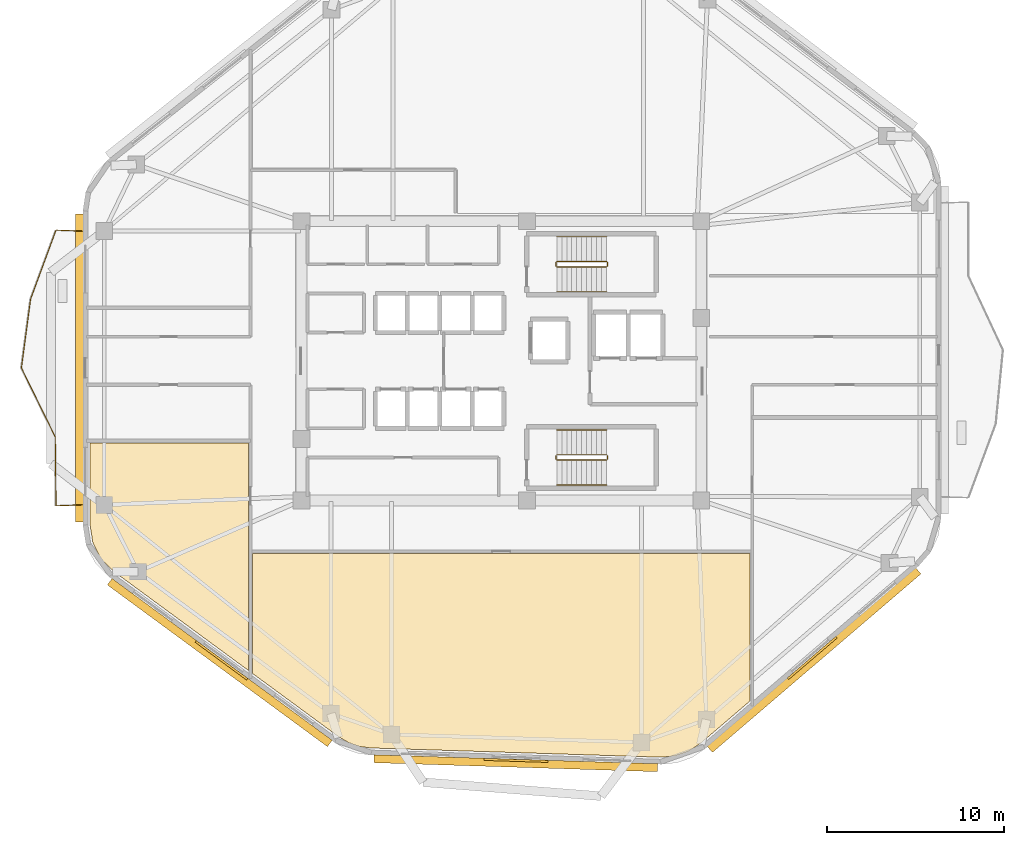
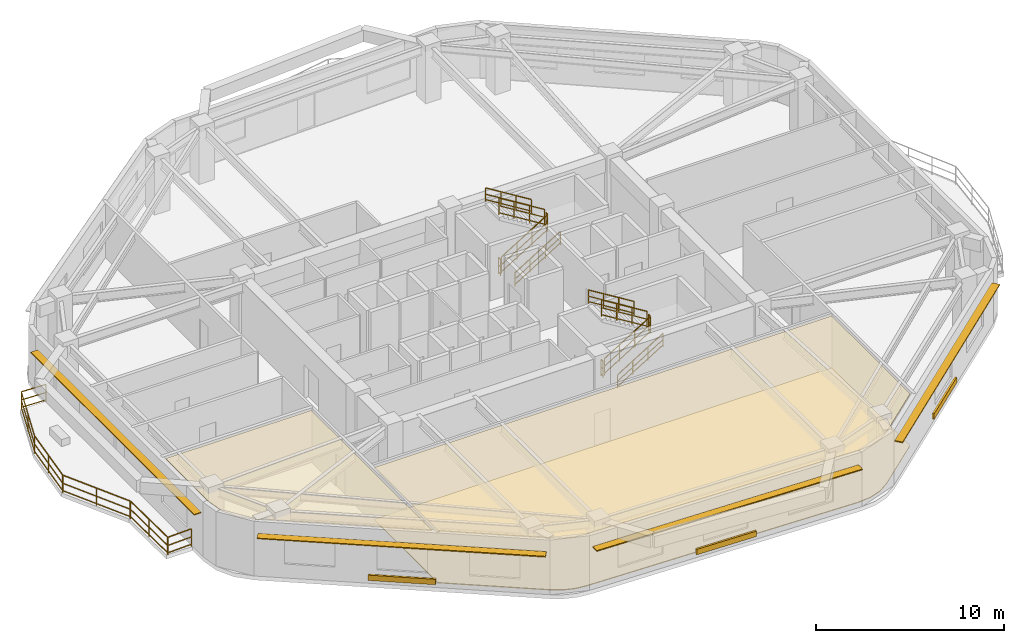
# One storey, part 7 of 8: 18 railings, 7 shading devices, 3 coverings.
"""IFC4 building model written with IfcOpenShell, lengths in metres."""

from ifc_helpers import new_model, si_unit, direction, frame, origin, origin_2d, place, context, subcontext, project, spatial, polyline, rectangle, outline, extrude, material, layer, layer_set, type_object, element, save


model = new_model("IFC4")

# Units and contexts
model_context = context("Model", 3, precision=1e-05, world=origin(), true_north=direction((0.0, 1.0)))
body_context = subcontext(model_context, "Body", "Model", "MODEL_VIEW")
ifc_project = project(units=[si_unit("LENGTHUNIT", "METRE"), si_unit("AREAUNIT", "SQUARE_METRE"), si_unit("VOLUMEUNIT", "CUBIC_METRE"), si_unit("PLANEANGLEUNIT", "RADIAN"), si_unit("MASSUNIT", "GRAM", prefix="KILO")], contexts=[model_context])

# Site, building, storey
site_placement = place(None, origin())
site = spatial("IfcSite", under=ifc_project, at=site_placement, CompositionType="ELEMENT")
building_placement = place(site_placement, origin())
building = spatial("IfcBuilding", under=site, at=building_placement, Name="Zulverin Broadcast Headquarters", CompositionType="ELEMENT")
storey_placement = place(building_placement, frame((0.0, 0.0, 174.39990234375)))
storey = spatial("IfcBuildingStorey", under=building, at=storey_placement, Name="L44", CompositionType="ELEMENT", Elevation=174.39990234375)

# Coverings
ifc_material_1 = material(Name="Perforated pale-metal acoustic baffle ceiling", Category="aluminium")
ifc_layer_1 = layer(ifc_material_1, 0.0400390625, Name="Perforated pale-metal acoustic baffle ceiling", Category="aluminium")
ifc_layer_set_1 = layer_set([ifc_layer_1], Name="Perforated pale-metal acoustic baffle ceiling")
covering_type_1 = type_object("IfcCoveringType", Name="COV-CEIL-ACOU", PredefinedType="CEILING", material=ifc_layer_set_1)
covering_1_placement = place(storey_placement, frame((0.0, 0.0, 3.360107421875)))
element("IfcCovering", 1, at=covering_1_placement, inside=storey, type_object=covering_type_1, Name="L44 Acoustic Baffle Ceiling 02", PredefinedType="CEILING", context=body_context, shape_type="SweptSolid", body=[
    extrude(outline(polyline([(47.56005859375, 3.179931640625), (48.236083984375, 3.6279296875), (51.031982421875, 6.02001953125), (51.031982421875, 14.33203125), (22.968017578125, 14.33203125), (22.968017578125, 7.56396484375), (27.823974609375, 3.99609375), (28.39599609375, 3.659912109375), (29.0, 3.447998046875), (29.652099609375, 3.364013671875), (46.008056640625, 2.843994140625), (46.820068359375, 2.919921875), (47.56005859375, 3.179931640625)])), origin(), (0.0, 0.0, 1.0), 0.0400390625),
])
covering_2_placement = place(storey_placement, frame((0.0, 0.0, 3.360107421875)))
element("IfcCovering", 2, at=covering_2_placement, inside=storey, type_object=covering_type_1, Name="L44 Acoustic Baffle Ceiling 03", PredefinedType="CEILING", context=body_context, shape_type="SweptSolid", body=[
    extrude(outline(polyline([(14.407958984375, 14.055908203125), (15.132080078125, 13.323974609375), (22.72802734375, 7.739990234375), (22.72802734375, 20.580078125), (13.800048828125, 20.580078125), (13.800048828125, 15.951904296875), (13.9599609375, 14.93994140625), (14.407958984375, 14.055908203125)])), origin(), (0.0, 0.0, 1.0), 0.0400390625),
])
ifc_material_2 = material(Name="Anti-static broadcast raised access flooring", Category="stone")
ifc_layer_2 = layer(ifc_material_2, 0.050048828125, Name="Anti-static broadcast raised access flooring", Category="stone")
ifc_layer_set_2 = layer_set([ifc_layer_2], Name="Anti-static broadcast raised access flooring")
covering_type_2 = type_object("IfcCoveringType", Name="COV-FLR-RAISED", PredefinedType="FLOORING", material=ifc_layer_set_2)
covering_3_placement = place(storey_placement, origin())
element("IfcCovering", 3, at=covering_3_placement, inside=storey, type_object=covering_type_2, Name="L44 Broadcast Raised Access Flooring 02", PredefinedType="FLOORING", context=body_context, shape_type="SweptSolid", body=[
    extrude(outline(polyline([(47.56005859375, 3.179931640625), (48.236083984375, 3.6279296875), (51.031982421875, 6.02001953125), (51.031982421875, 14.33203125), (22.968017578125, 14.33203125), (22.968017578125, 7.56396484375), (27.823974609375, 3.99609375), (28.39599609375, 3.659912109375), (29.0, 3.447998046875), (29.652099609375, 3.364013671875), (46.008056640625, 2.843994140625), (46.820068359375, 2.919921875), (47.56005859375, 3.179931640625)])), origin(), (0.0, 0.0, 1.0), 0.050048828125),
])

# Railings
ifc_material_3 = material(Name="Brushed stainless steel & laminated glass balustrade", Category="steel")
railing_type_1 = type_object("IfcRailingType", Name="RL-GUARD-1150", PredefinedType="GUARDRAIL", material=ifc_material_3)
railing_1_placement = place(storey_placement, frame((13.360107421875, 32.51318359375, 0.0)))
element("IfcRailing", 4, at=railing_1_placement, inside=storey, type_object=railing_type_1, Name="L44 Vertical-Forest Balcony Guardrail BAL_W Segment 01", PredefinedType="GUARDRAIL", context=body_context, shape_type="SweptSolid", body=[
    extrude(rectangle(XDim=0.048095703125, YDim=0.048095703125, at=origin_2d()), frame((0.0, 0.0, 1.1259765625), z_axis=(-0.999181155166, 0.040460093435, 0.0), x_axis=(-0.040460093435, -0.999181155166, 0.0)), (0.0, 0.0, 1.0), 1.46630859375),
    extrude(rectangle(XDim=0.0419921875, YDim=0.0419921875, at=origin_2d()), frame((0.0, 0.0, 0.597900390625), z_axis=(-0.999181155166, 0.040460093435, 0.0), x_axis=(-0.040460093435, -0.999181155166, 0.0)), (0.0, 0.0, 1.0), 1.46630859375),
    extrude(rectangle(XDim=0.0419921875, YDim=0.0419921875, at=origin_2d()), frame((0.0, 0.0, 0.1201171875), z_axis=(-0.999181155166, 0.040460093435, 0.0), x_axis=(-0.040460093435, -0.999181155166, 0.0)), (0.0, 0.0, 1.0), 1.46630859375),
    extrude(rectangle(XDim=0.0419921875, YDim=0.0419921875, at=origin_2d()), origin(), (0.0, 0.0, 1.0), 1.101806640625),
    extrude(rectangle(XDim=0.0419921875, YDim=0.0419921875, at=origin_2d()), frame((-1.465087890625, 0.059326171875, 0.0)), (0.0, 0.0, 1.0), 1.101806640625),
])
railing_2_placement = place(storey_placement, frame((11.874755859375, 32.55908203125, 0.0)))
element("IfcRailing", 5, at=railing_2_placement, inside=storey, type_object=railing_type_1, Name="L44 Vertical-Forest Balcony Guardrail BAL_W Segment 02", PredefinedType="GUARDRAIL", context=body_context, shape_type="SweptSolid", body=[
    extrude(rectangle(XDim=0.048095703125, YDim=0.048095703125, at=origin_2d()), frame((0.0, 0.0, 1.1259765625), z_axis=(-0.345529302348, -0.938407960974, 0.0), x_axis=(0.938407960974, -0.345529302348, 0.0)), (0.0, 0.0, 1.0), 4.113037109375),
    extrude(rectangle(XDim=0.0419921875, YDim=0.0419921875, at=origin_2d()), frame((0.0, 0.0, 0.597900390625), z_axis=(-0.345529302348, -0.938407960974, 0.0), x_axis=(0.938407960974, -0.345529302348, 0.0)), (0.0, 0.0, 1.0), 4.113037109375),
    extrude(rectangle(XDim=0.0419921875, YDim=0.0419921875, at=origin_2d()), frame((0.0, 0.0, 0.1201171875), z_axis=(-0.345529302348, -0.938407960974, 0.0), x_axis=(0.938407960974, -0.345529302348, 0.0)), (0.0, 0.0, 1.0), 4.113037109375),
    extrude(rectangle(XDim=0.0419921875, YDim=0.0419921875, at=origin_2d()), origin(), (0.0, 0.0, 1.0), 1.101806640625),
    extrude(rectangle(XDim=0.0419921875, YDim=0.0419921875, at=origin_2d()), frame((-0.71044921875, -1.9296875, 0.0)), (0.0, 0.0, 1.0), 1.101806640625),
    extrude(rectangle(XDim=0.0419921875, YDim=0.0419921875, at=origin_2d()), frame((-1.421142578125, -3.859619140625, 0.0)), (0.0, 0.0, 1.0), 1.101806640625),
])
railing_3_placement = place(storey_placement, frame((10.4462890625, 28.67041015625, 0.0)))
element("IfcRailing", 6, at=railing_3_placement, inside=storey, type_object=railing_type_1, Name="L44 Vertical-Forest Balcony Guardrail BAL_W Segment 03", PredefinedType="GUARDRAIL", context=body_context, shape_type="SweptSolid", body=[
    extrude(rectangle(XDim=0.048095703125, YDim=0.048095703125, at=origin_2d()), frame((0.0, 0.0, 1.1259765625), z_axis=(-0.132167828909, -0.991227352832, 0.0), x_axis=(0.991227352832, -0.132167828909, 0.0)), (0.0, 0.0, 1.0), 3.89208984375),
    extrude(rectangle(XDim=0.0419921875, YDim=0.0419921875, at=origin_2d()), frame((0.0, 0.0, 0.597900390625), z_axis=(-0.132167828909, -0.991227352832, 0.0), x_axis=(0.991227352832, -0.132167828909, 0.0)), (0.0, 0.0, 1.0), 3.89208984375),
    extrude(rectangle(XDim=0.0419921875, YDim=0.0419921875, at=origin_2d()), frame((0.0, 0.0, 0.1201171875), z_axis=(-0.132167828909, -0.991227352832, 0.0), x_axis=(0.991227352832, -0.132167828909, 0.0)), (0.0, 0.0, 1.0), 3.89208984375),
    extrude(rectangle(XDim=0.0419921875, YDim=0.0419921875, at=origin_2d()), origin(), (0.0, 0.0, 1.0), 1.101806640625),
    extrude(rectangle(XDim=0.0419921875, YDim=0.0419921875, at=origin_2d()), frame((-0.25732421875, -1.928955078125, 0.0)), (0.0, 0.0, 1.0), 1.101806640625),
    extrude(rectangle(XDim=0.0419921875, YDim=0.0419921875, at=origin_2d()), frame((-0.514404296875, -3.85791015625, 0.0)), (0.0, 0.0, 1.0), 1.101806640625),
])
railing_4_placement = place(storey_placement, frame((9.9365234375, 24.7841796875, 0.0)))
element("IfcRailing", 7, at=railing_4_placement, inside=storey, type_object=railing_type_1, Name="L44 Vertical-Forest Balcony Guardrail BAL_W Segment 04", PredefinedType="GUARDRAIL", context=body_context, shape_type="SweptSolid", body=[
    extrude(rectangle(XDim=0.048095703125, YDim=0.048095703125, at=origin_2d()), frame((0.0, 0.0, 1.1259765625), z_axis=(0.440594183465, -0.897706391587, 0.0), x_axis=(0.897706391587, 0.440594183465, 0.0)), (0.0, 0.0, 1.0), 4.301025390625),
    extrude(rectangle(XDim=0.0419921875, YDim=0.0419921875, at=origin_2d()), frame((0.0, 0.0, 0.597900390625), z_axis=(0.440594183465, -0.897706391587, 0.0), x_axis=(0.897706391587, 0.440594183465, 0.0)), (0.0, 0.0, 1.0), 4.301025390625),
    extrude(rectangle(XDim=0.0419921875, YDim=0.0419921875, at=origin_2d()), frame((0.0, 0.0, 0.1201171875), z_axis=(0.440594183465, -0.897706391587, 0.0), x_axis=(0.897706391587, 0.440594183465, 0.0)), (0.0, 0.0, 1.0), 4.301025390625),
    extrude(rectangle(XDim=0.0419921875, YDim=0.0419921875, at=origin_2d()), origin(), (0.0, 0.0, 1.0), 1.101806640625),
    extrude(rectangle(XDim=0.0419921875, YDim=0.0419921875, at=origin_2d()), frame((0.947509765625, -1.9306640625, 0.0)), (0.0, 0.0, 1.0), 1.101806640625),
    extrude(rectangle(XDim=0.0419921875, YDim=0.0419921875, at=origin_2d()), frame((1.89501953125, -3.861083984375, 0.0)), (0.0, 0.0, 1.0), 1.101806640625),
])
railing_5_placement = place(storey_placement, frame((11.83837890625, 20.894775390625, 0.0)))
element("IfcRailing", 8, at=railing_5_placement, inside=storey, type_object=railing_type_1, Name="L44 Vertical-Forest Balcony Guardrail BAL_W Segment 05", PredefinedType="GUARDRAIL", context=body_context, shape_type="SweptSolid", body=[
    extrude(rectangle(XDim=0.048095703125, YDim=0.048095703125, at=origin_2d()), frame((0.0, 0.0, 1.1259765625), z_axis=(0.010757509377, -0.999942136322, 0.0), x_axis=(0.999942136322, 0.010757509377, 0.0)), (0.0, 0.0, 1.0), 3.858154296875),
    extrude(rectangle(XDim=0.0419921875, YDim=0.0419921875, at=origin_2d()), frame((0.0, 0.0, 0.597900390625), z_axis=(0.010757509377, -0.999942136322, 0.0), x_axis=(0.999942136322, 0.010757509377, 0.0)), (0.0, 0.0, 1.0), 3.858154296875),
    extrude(rectangle(XDim=0.0419921875, YDim=0.0419921875, at=origin_2d()), frame((0.0, 0.0, 0.1201171875), z_axis=(0.010757509377, -0.999942136322, 0.0), x_axis=(0.999942136322, 0.010757509377, 0.0)), (0.0, 0.0, 1.0), 3.858154296875),
    extrude(rectangle(XDim=0.0419921875, YDim=0.0419921875, at=origin_2d()), origin(), (0.0, 0.0, 1.0), 1.101806640625),
    extrude(rectangle(XDim=0.0419921875, YDim=0.0419921875, at=origin_2d()), frame((0.020751953125, -1.928955078125, 0.0)), (0.0, 0.0, 1.0), 1.101806640625),
    extrude(rectangle(XDim=0.0419921875, YDim=0.0419921875, at=origin_2d()), frame((0.04150390625, -3.85791015625, 0.0)), (0.0, 0.0, 1.0), 1.101806640625),
])
railing_6_placement = place(storey_placement, frame((11.89501953125, 17.0224609375, 0.0)))
element("IfcRailing", 9, at=railing_6_placement, inside=storey, type_object=railing_type_1, Name="L44 Vertical-Forest Balcony Guardrail BAL_W Segment 06", PredefinedType="GUARDRAIL", context=body_context, shape_type="SweptSolid", body=[
    extrude(rectangle(XDim=0.048095703125, YDim=0.048095703125, at=origin_2d()), frame((0.0, 0.0, 1.1259765625), z_axis=(0.999181155166, 0.040460093435, 0.0), x_axis=(-0.040460093435, 0.999181155166, 0.0)), (0.0, 0.0, 1.0), 1.46630859375),
    extrude(rectangle(XDim=0.0419921875, YDim=0.0419921875, at=origin_2d()), frame((0.0, 0.0, 0.597900390625), z_axis=(0.999181155166, 0.040460093435, 0.0), x_axis=(-0.040460093435, 0.999181155166, 0.0)), (0.0, 0.0, 1.0), 1.46630859375),
    extrude(rectangle(XDim=0.0419921875, YDim=0.0419921875, at=origin_2d()), frame((0.0, 0.0, 0.1201171875), z_axis=(0.999181155166, 0.040460093435, 0.0), x_axis=(-0.040460093435, 0.999181155166, 0.0)), (0.0, 0.0, 1.0), 1.46630859375),
    extrude(rectangle(XDim=0.0419921875, YDim=0.0419921875, at=origin_2d()), origin(), (0.0, 0.0, 1.0), 1.101806640625),
    extrude(rectangle(XDim=0.0419921875, YDim=0.0419921875, at=origin_2d()), frame((1.465087890625, 0.059326171875, 0.0)), (0.0, 0.0, 1.0), 1.101806640625),
])
ifc_material_4 = material(Name="Painted galvanized steel tubular guardrail S355JR", Category="steel")
railing_type_2 = type_object("IfcRailingType", Name="RL-ST-GUARD", PredefinedType="GUARDRAIL", material=ifc_material_4)
railing_7_placement = place(storey_placement, frame((40.1298828125, 30.5, 0.1728515625)))
element("IfcRailing", 10, at=railing_7_placement, inside=storey, type_object=railing_type_2, Name="L44 ST-1 stair guard 1", PredefinedType="GUARDRAIL", context=body_context, shape_type="SweptSolid", body=[
    extrude(rectangle(XDim=0.048095703125, YDim=0.048095703125, at=origin_2d()), frame((0.0, 0.0, 1.076171875), z_axis=(0.851089632645, 0.0, 0.525020415988), x_axis=(0.0, 1.0, 0.0)), (0.0, 0.0, 1.0), 3.2900390625),
    extrude(rectangle(XDim=0.0419921875, YDim=0.0419921875, at=origin_2d()), frame((0.0, 0.0, 0.572021484375), z_axis=(0.851089632645, 0.0, 0.525020415988), x_axis=(0.0, 1.0, 0.0)), (0.0, 0.0, 1.0), 3.2900390625),
    extrude(rectangle(XDim=0.0419921875, YDim=0.0419921875, at=origin_2d()), frame((0.0, 0.0, 0.1201171875), z_axis=(0.851089632645, 0.0, 0.525020415988), x_axis=(0.0, 1.0, 0.0)), (0.0, 0.0, 1.0), 3.2900390625),
    extrude(rectangle(XDim=0.0419921875, YDim=0.0419921875, at=origin_2d()), origin(), (0.0, 0.0, 1.0), 1.052001953125),
    extrude(rectangle(XDim=0.0419921875, YDim=0.0419921875, at=origin_2d()), frame((0.933349609375, 0.0, 0.57568359375)), (0.0, 0.0, 1.0), 1.052001953125),
    extrude(rectangle(XDim=0.0419921875, YDim=0.0419921875, at=origin_2d()), frame((1.86669921875, 0.0, 1.151611328125)), (0.0, 0.0, 1.0), 1.052001953125),
    extrude(rectangle(XDim=0.0419921875, YDim=0.0419921875, at=origin_2d()), frame((2.800048828125, 0.0, 1.727294921875)), (0.0, 0.0, 1.0), 1.052001953125),
])
railing_8_placement = place(storey_placement, frame((42.97998046875, 30.550048828125, 1.900146484375)))
element("IfcRailing", 11, at=railing_8_placement, inside=storey, type_object=railing_type_2, Name="L44 ST-1 stair guard 2", PredefinedType="GUARDRAIL", context=body_context, shape_type="SweptSolid", body=[
    extrude(rectangle(XDim=0.048095703125, YDim=0.048095703125, at=origin_2d()), frame((0.0, 0.0, 1.076171875), z_axis=(0.0, 1.0, 0.0), x_axis=(-1.0, 0.0, 0.0)), (0.0, 0.0, 1.0), 0.199951171875),
    extrude(rectangle(XDim=0.0419921875, YDim=0.0419921875, at=origin_2d()), frame((0.0, 0.0, 0.572021484375), z_axis=(0.0, 1.0, 0.0), x_axis=(-1.0, 0.0, 0.0)), (0.0, 0.0, 1.0), 0.199951171875),
    extrude(rectangle(XDim=0.0419921875, YDim=0.0419921875, at=origin_2d()), frame((0.0, 0.0, 0.1201171875), z_axis=(0.0, 1.0, 0.0), x_axis=(-1.0, 0.0, 0.0)), (0.0, 0.0, 1.0), 0.199951171875),
    extrude(rectangle(XDim=0.0419921875, YDim=0.0419921875, at=origin_2d()), origin(), (0.0, 0.0, 1.0), 1.052001953125),
    extrude(rectangle(XDim=0.0419921875, YDim=0.0419921875, at=origin_2d()), frame((0.0, 0.199951171875, 0.0)), (0.0, 0.0, 1.0), 1.052001953125),
])
railing_9_placement = place(storey_placement, frame((42.929931640625, 30.800048828125, 2.07275390625)))
element("IfcRailing", 12, at=railing_9_placement, inside=storey, type_object=railing_type_2, Name="L44 ST-1 stair guard 3", PredefinedType="GUARDRAIL", context=body_context, shape_type="SweptSolid", body=[
    extrude(rectangle(XDim=0.048095703125, YDim=0.048095703125, at=origin_2d()), frame((0.0, 0.0, 1.076171875), z_axis=(-0.851089632645, 0.0, 0.525020415988), x_axis=(0.0, -1.0, 0.0)), (0.0, 0.0, 1.0), 3.2900390625),
    extrude(rectangle(XDim=0.0419921875, YDim=0.0419921875, at=origin_2d()), frame((0.0, 0.0, 0.572021484375), z_axis=(-0.851089632645, 0.0, 0.525020415988), x_axis=(0.0, -1.0, 0.0)), (0.0, 0.0, 1.0), 3.2900390625),
    extrude(rectangle(XDim=0.0419921875, YDim=0.0419921875, at=origin_2d()), frame((0.0, 0.0, 0.1201171875), z_axis=(-0.851089632645, 0.0, 0.525020415988), x_axis=(0.0, -1.0, 0.0)), (0.0, 0.0, 1.0), 3.2900390625),
    extrude(rectangle(XDim=0.0419921875, YDim=0.0419921875, at=origin_2d()), origin(), (0.0, 0.0, 1.0), 1.052001953125),
    extrude(rectangle(XDim=0.0419921875, YDim=0.0419921875, at=origin_2d()), frame((-0.933349609375, 0.0, 0.57568359375)), (0.0, 0.0, 1.0), 1.052001953125),
    extrude(rectangle(XDim=0.0419921875, YDim=0.0419921875, at=origin_2d()), frame((-1.86669921875, 0.0, 1.151611328125)), (0.0, 0.0, 1.0), 1.052001953125),
    extrude(rectangle(XDim=0.0419921875, YDim=0.0419921875, at=origin_2d()), frame((-2.800048828125, 0.0, 1.727294921875)), (0.0, 0.0, 1.0), 1.052001953125),
])
railing_10_placement = place(storey_placement, frame((40.080078125, 30.550048828125, 0.0)))
element("IfcRailing", 13, at=railing_10_placement, inside=storey, type_object=railing_type_2, Name="L44 ST-1 stair guard 4", PredefinedType="GUARDRAIL", context=body_context, shape_type="SweptSolid", body=[
    extrude(rectangle(XDim=0.048095703125, YDim=0.048095703125, at=origin_2d()), frame((0.0, 0.0, 1.076171875), z_axis=(0.0, 1.0, 0.0), x_axis=(-1.0, 0.0, 0.0)), (0.0, 0.0, 1.0), 0.199951171875),
    extrude(rectangle(XDim=0.0419921875, YDim=0.0419921875, at=origin_2d()), frame((0.0, 0.0, 0.572021484375), z_axis=(0.0, 1.0, 0.0), x_axis=(-1.0, 0.0, 0.0)), (0.0, 0.0, 1.0), 0.199951171875),
    extrude(rectangle(XDim=0.0419921875, YDim=0.0419921875, at=origin_2d()), frame((0.0, 0.0, 0.1201171875), z_axis=(0.0, 1.0, 0.0), x_axis=(-1.0, 0.0, 0.0)), (0.0, 0.0, 1.0), 0.199951171875),
    extrude(rectangle(XDim=0.0419921875, YDim=0.0419921875, at=origin_2d()), origin(), (0.0, 0.0, 1.0), 1.052001953125),
    extrude(rectangle(XDim=0.0419921875, YDim=0.0419921875, at=origin_2d()), frame((0.0, 0.199951171875, 0.0)), (0.0, 0.0, 1.0), 1.052001953125),
])
railing_11_placement = place(storey_placement, frame((40.1298828125, 19.60009765625, 0.1728515625)))
element("IfcRailing", 14, at=railing_11_placement, inside=storey, type_object=railing_type_2, Name="L44 ST-2 stair guard 1", PredefinedType="GUARDRAIL", context=body_context, shape_type="SweptSolid", body=[
    extrude(rectangle(XDim=0.048095703125, YDim=0.048095703125, at=origin_2d()), frame((0.0, 0.0, 1.076171875), z_axis=(0.851089632645, 0.0, 0.525020415988), x_axis=(0.0, 1.0, 0.0)), (0.0, 0.0, 1.0), 3.2900390625),
    extrude(rectangle(XDim=0.0419921875, YDim=0.0419921875, at=origin_2d()), frame((0.0, 0.0, 0.572021484375), z_axis=(0.851089632645, 0.0, 0.525020415988), x_axis=(0.0, 1.0, 0.0)), (0.0, 0.0, 1.0), 3.2900390625),
    extrude(rectangle(XDim=0.0419921875, YDim=0.0419921875, at=origin_2d()), frame((0.0, 0.0, 0.1201171875), z_axis=(0.851089632645, 0.0, 0.525020415988), x_axis=(0.0, 1.0, 0.0)), (0.0, 0.0, 1.0), 3.2900390625),
    extrude(rectangle(XDim=0.0419921875, YDim=0.0419921875, at=origin_2d()), origin(), (0.0, 0.0, 1.0), 1.052001953125),
    extrude(rectangle(XDim=0.0419921875, YDim=0.0419921875, at=origin_2d()), frame((0.933349609375, 0.0, 0.57568359375)), (0.0, 0.0, 1.0), 1.052001953125),
    extrude(rectangle(XDim=0.0419921875, YDim=0.0419921875, at=origin_2d()), frame((1.86669921875, 0.0, 1.151611328125)), (0.0, 0.0, 1.0), 1.052001953125),
    extrude(rectangle(XDim=0.0419921875, YDim=0.0419921875, at=origin_2d()), frame((2.800048828125, 0.0, 1.727294921875)), (0.0, 0.0, 1.0), 1.052001953125),
])
railing_12_placement = place(storey_placement, frame((42.97998046875, 19.64990234375, 1.900146484375)))
element("IfcRailing", 15, at=railing_12_placement, inside=storey, type_object=railing_type_2, Name="L44 ST-2 stair guard 2", PredefinedType="GUARDRAIL", context=body_context, shape_type="SweptSolid", body=[
    extrude(rectangle(XDim=0.048095703125, YDim=0.048095703125, at=origin_2d()), frame((0.0, 0.0, 1.076171875), z_axis=(0.0, 1.0, 0.0), x_axis=(-1.0, 0.0, 0.0)), (0.0, 0.0, 1.0), 0.2001953125),
    extrude(rectangle(XDim=0.0419921875, YDim=0.0419921875, at=origin_2d()), frame((0.0, 0.0, 0.572021484375), z_axis=(0.0, 1.0, 0.0), x_axis=(-1.0, 0.0, 0.0)), (0.0, 0.0, 1.0), 0.2001953125),
    extrude(rectangle(XDim=0.0419921875, YDim=0.0419921875, at=origin_2d()), frame((0.0, 0.0, 0.1201171875), z_axis=(0.0, 1.0, 0.0), x_axis=(-1.0, 0.0, 0.0)), (0.0, 0.0, 1.0), 0.2001953125),
    extrude(rectangle(XDim=0.0419921875, YDim=0.0419921875, at=origin_2d()), origin(), (0.0, 0.0, 1.0), 1.052001953125),
    extrude(rectangle(XDim=0.0419921875, YDim=0.0419921875, at=origin_2d()), frame((0.0, 0.2001953125, 0.0)), (0.0, 0.0, 1.0), 1.052001953125),
])
railing_13_placement = place(storey_placement, frame((42.929931640625, 19.89990234375, 2.07275390625)))
element("IfcRailing", 16, at=railing_13_placement, inside=storey, type_object=railing_type_2, Name="L44 ST-2 stair guard 3", PredefinedType="GUARDRAIL", context=body_context, shape_type="SweptSolid", body=[
    extrude(rectangle(XDim=0.048095703125, YDim=0.048095703125, at=origin_2d()), frame((0.0, 0.0, 1.076171875), z_axis=(-0.851089632645, 0.0, 0.525020415988), x_axis=(0.0, -1.0, 0.0)), (0.0, 0.0, 1.0), 3.2900390625),
    extrude(rectangle(XDim=0.0419921875, YDim=0.0419921875, at=origin_2d()), frame((0.0, 0.0, 0.572021484375), z_axis=(-0.851089632645, 0.0, 0.525020415988), x_axis=(0.0, -1.0, 0.0)), (0.0, 0.0, 1.0), 3.2900390625),
    extrude(rectangle(XDim=0.0419921875, YDim=0.0419921875, at=origin_2d()), frame((0.0, 0.0, 0.1201171875), z_axis=(-0.851089632645, 0.0, 0.525020415988), x_axis=(0.0, -1.0, 0.0)), (0.0, 0.0, 1.0), 3.2900390625),
    extrude(rectangle(XDim=0.0419921875, YDim=0.0419921875, at=origin_2d()), origin(), (0.0, 0.0, 1.0), 1.052001953125),
    extrude(rectangle(XDim=0.0419921875, YDim=0.0419921875, at=origin_2d()), frame((-0.933349609375, 0.0, 0.57568359375)), (0.0, 0.0, 1.0), 1.052001953125),
    extrude(rectangle(XDim=0.0419921875, YDim=0.0419921875, at=origin_2d()), frame((-1.86669921875, 0.0, 1.151611328125)), (0.0, 0.0, 1.0), 1.052001953125),
    extrude(rectangle(XDim=0.0419921875, YDim=0.0419921875, at=origin_2d()), frame((-2.800048828125, 0.0, 1.727294921875)), (0.0, 0.0, 1.0), 1.052001953125),
])
railing_14_placement = place(storey_placement, frame((40.080078125, 19.64990234375, 0.0)))
element("IfcRailing", 17, at=railing_14_placement, inside=storey, type_object=railing_type_2, Name="L44 ST-2 stair guard 4", PredefinedType="GUARDRAIL", context=body_context, shape_type="SweptSolid", body=[
    extrude(rectangle(XDim=0.048095703125, YDim=0.048095703125, at=origin_2d()), frame((0.0, 0.0, 1.076171875), z_axis=(0.0, 1.0, 0.0), x_axis=(-1.0, 0.0, 0.0)), (0.0, 0.0, 1.0), 0.2001953125),
    extrude(rectangle(XDim=0.0419921875, YDim=0.0419921875, at=origin_2d()), frame((0.0, 0.0, 0.572021484375), z_axis=(0.0, 1.0, 0.0), x_axis=(-1.0, 0.0, 0.0)), (0.0, 0.0, 1.0), 0.2001953125),
    extrude(rectangle(XDim=0.0419921875, YDim=0.0419921875, at=origin_2d()), frame((0.0, 0.0, 0.1201171875), z_axis=(0.0, 1.0, 0.0), x_axis=(-1.0, 0.0, 0.0)), (0.0, 0.0, 1.0), 0.2001953125),
    extrude(rectangle(XDim=0.0419921875, YDim=0.0419921875, at=origin_2d()), origin(), (0.0, 0.0, 1.0), 1.052001953125),
    extrude(rectangle(XDim=0.0419921875, YDim=0.0419921875, at=origin_2d()), frame((0.0, 0.2001953125, 0.0)), (0.0, 0.0, 1.0), 1.052001953125),
])
ifc_material_5 = material(Name="Brushed stainless steel 48 mm handrail", Category="steel")
railing_type_3 = type_object("IfcRailingType", Name="RL-ST-HAND", PredefinedType="HANDRAIL", material=ifc_material_5)
railing_15_placement = place(storey_placement, frame((40.1298828125, 29.10009765625, 0.1728515625)))
element("IfcRailing", 18, at=railing_15_placement, inside=storey, type_object=railing_type_3, Name="L44 ST-1 stair handrail 1", PredefinedType="HANDRAIL", context=body_context, shape_type="SweptSolid", body=[
    extrude(rectangle(XDim=0.048095703125, YDim=0.048095703125, at=origin_2d()), frame((0.0, 0.0, 0.8759765625), z_axis=(0.851089632645, 0.0, 0.525020415988), x_axis=(0.0, 1.0, 0.0)), (0.0, 0.0, 1.0), 3.2900390625),
    extrude(rectangle(XDim=0.0419921875, YDim=0.0419921875, at=origin_2d()), frame((0.0, 0.0, 0.468017578125), z_axis=(0.851089632645, 0.0, 0.525020415988), x_axis=(0.0, 1.0, 0.0)), (0.0, 0.0, 1.0), 3.2900390625),
    extrude(rectangle(XDim=0.0419921875, YDim=0.0419921875, at=origin_2d()), frame((0.0, 0.0, 0.1201171875), z_axis=(0.851089632645, 0.0, 0.525020415988), x_axis=(0.0, 1.0, 0.0)), (0.0, 0.0, 1.0), 3.2900390625),
    extrude(rectangle(XDim=0.0419921875, YDim=0.0419921875, at=origin_2d()), origin(), (0.0, 0.0, 1.0), 0.851806640625),
    extrude(rectangle(XDim=0.0419921875, YDim=0.0419921875, at=origin_2d()), frame((0.933349609375, 0.0, 0.57568359375)), (0.0, 0.0, 1.0), 0.851806640625),
    extrude(rectangle(XDim=0.0419921875, YDim=0.0419921875, at=origin_2d()), frame((1.86669921875, 0.0, 1.151611328125)), (0.0, 0.0, 1.0), 0.851806640625),
    extrude(rectangle(XDim=0.0419921875, YDim=0.0419921875, at=origin_2d()), frame((2.800048828125, 0.0, 1.727294921875)), (0.0, 0.0, 1.0), 0.851806640625),
])
railing_16_placement = place(storey_placement, frame((42.929931640625, 32.199951171875, 2.07275390625)))
element("IfcRailing", 19, at=railing_16_placement, inside=storey, type_object=railing_type_3, Name="L44 ST-1 stair handrail 2", PredefinedType="HANDRAIL", context=body_context, shape_type="SweptSolid", body=[
    extrude(rectangle(XDim=0.048095703125, YDim=0.048095703125, at=origin_2d()), frame((0.0, 0.0, 0.8759765625), z_axis=(-0.851089632645, 0.0, 0.525020415988), x_axis=(0.0, -1.0, 0.0)), (0.0, 0.0, 1.0), 3.2900390625),
    extrude(rectangle(XDim=0.0419921875, YDim=0.0419921875, at=origin_2d()), frame((0.0, 0.0, 0.468017578125), z_axis=(-0.851089632645, 0.0, 0.525020415988), x_axis=(0.0, -1.0, 0.0)), (0.0, 0.0, 1.0), 3.2900390625),
    extrude(rectangle(XDim=0.0419921875, YDim=0.0419921875, at=origin_2d()), frame((0.0, 0.0, 0.1201171875), z_axis=(-0.851089632645, 0.0, 0.525020415988), x_axis=(0.0, -1.0, 0.0)), (0.0, 0.0, 1.0), 3.2900390625),
    extrude(rectangle(XDim=0.0419921875, YDim=0.0419921875, at=origin_2d()), origin(), (0.0, 0.0, 1.0), 0.851806640625),
    extrude(rectangle(XDim=0.0419921875, YDim=0.0419921875, at=origin_2d()), frame((-0.933349609375, 0.0, 0.57568359375)), (0.0, 0.0, 1.0), 0.851806640625),
    extrude(rectangle(XDim=0.0419921875, YDim=0.0419921875, at=origin_2d()), frame((-1.86669921875, 0.0, 1.151611328125)), (0.0, 0.0, 1.0), 0.851806640625),
    extrude(rectangle(XDim=0.0419921875, YDim=0.0419921875, at=origin_2d()), frame((-2.800048828125, 0.0, 1.727294921875)), (0.0, 0.0, 1.0), 0.851806640625),
])
railing_17_placement = place(storey_placement, frame((40.1298828125, 18.199951171875, 0.1728515625)))
element("IfcRailing", 20, at=railing_17_placement, inside=storey, type_object=railing_type_3, Name="L44 ST-2 stair handrail 1", PredefinedType="HANDRAIL", context=body_context, shape_type="SweptSolid", body=[
    extrude(rectangle(XDim=0.048095703125, YDim=0.048095703125, at=origin_2d()), frame((0.0, 0.0, 0.8759765625), z_axis=(0.851089632645, 0.0, 0.525020415988), x_axis=(0.0, 1.0, 0.0)), (0.0, 0.0, 1.0), 3.2900390625),
    extrude(rectangle(XDim=0.0419921875, YDim=0.0419921875, at=origin_2d()), frame((0.0, 0.0, 0.468017578125), z_axis=(0.851089632645, 0.0, 0.525020415988), x_axis=(0.0, 1.0, 0.0)), (0.0, 0.0, 1.0), 3.2900390625),
    extrude(rectangle(XDim=0.0419921875, YDim=0.0419921875, at=origin_2d()), frame((0.0, 0.0, 0.1201171875), z_axis=(0.851089632645, 0.0, 0.525020415988), x_axis=(0.0, 1.0, 0.0)), (0.0, 0.0, 1.0), 3.2900390625),
    extrude(rectangle(XDim=0.0419921875, YDim=0.0419921875, at=origin_2d()), origin(), (0.0, 0.0, 1.0), 0.851806640625),
    extrude(rectangle(XDim=0.0419921875, YDim=0.0419921875, at=origin_2d()), frame((0.933349609375, 0.0, 0.57568359375)), (0.0, 0.0, 1.0), 0.851806640625),
    extrude(rectangle(XDim=0.0419921875, YDim=0.0419921875, at=origin_2d()), frame((1.86669921875, 0.0, 1.151611328125)), (0.0, 0.0, 1.0), 0.851806640625),
    extrude(rectangle(XDim=0.0419921875, YDim=0.0419921875, at=origin_2d()), frame((2.800048828125, 0.0, 1.727294921875)), (0.0, 0.0, 1.0), 0.851806640625),
])
railing_18_placement = place(storey_placement, frame((42.929931640625, 21.300048828125, 2.07275390625)))
element("IfcRailing", 21, at=railing_18_placement, inside=storey, type_object=railing_type_3, Name="L44 ST-2 stair handrail 2", PredefinedType="HANDRAIL", context=body_context, shape_type="SweptSolid", body=[
    extrude(rectangle(XDim=0.048095703125, YDim=0.048095703125, at=origin_2d()), frame((0.0, 0.0, 0.8759765625), z_axis=(-0.851089632645, 0.0, 0.525020415988), x_axis=(0.0, -1.0, 0.0)), (0.0, 0.0, 1.0), 3.2900390625),
    extrude(rectangle(XDim=0.0419921875, YDim=0.0419921875, at=origin_2d()), frame((0.0, 0.0, 0.468017578125), z_axis=(-0.851089632645, 0.0, 0.525020415988), x_axis=(0.0, -1.0, 0.0)), (0.0, 0.0, 1.0), 3.2900390625),
    extrude(rectangle(XDim=0.0419921875, YDim=0.0419921875, at=origin_2d()), frame((0.0, 0.0, 0.1201171875), z_axis=(-0.851089632645, 0.0, 0.525020415988), x_axis=(0.0, -1.0, 0.0)), (0.0, 0.0, 1.0), 3.2900390625),
    extrude(rectangle(XDim=0.0419921875, YDim=0.0419921875, at=origin_2d()), origin(), (0.0, 0.0, 1.0), 0.851806640625),
    extrude(rectangle(XDim=0.0419921875, YDim=0.0419921875, at=origin_2d()), frame((-0.933349609375, 0.0, 0.57568359375)), (0.0, 0.0, 1.0), 0.851806640625),
    extrude(rectangle(XDim=0.0419921875, YDim=0.0419921875, at=origin_2d()), frame((-1.86669921875, 0.0, 1.151611328125)), (0.0, 0.0, 1.0), 0.851806640625),
    extrude(rectangle(XDim=0.0419921875, YDim=0.0419921875, at=origin_2d()), frame((-2.800048828125, 0.0, 1.727294921875)), (0.0, 0.0, 1.0), 0.851806640625),
])

# Shading devices
ifc_material_6 = material(Name="Anodized pale-metal aluminium acoustic louvre", Category="aluminium")
shading_device_type_1 = type_object("IfcShadingDeviceType", Name="SHD-LOUVRE-350", PredefinedType="USERDEFINED", material=ifc_material_6)
for number, where, z_axis, x_axis, name in (
    (22, (37.81982421875, 2.66455078125, 0.2451171875), (0.0, 0.0, 1.0), (0.999497141269, -0.031709061709, 0.0), "L44 Spandrel Intake Louvre 1"),
    (23, (54.53466796875, 8.4404296875, 0.2451171875), (0.0, 0.0, 1.0), (0.759706154917, 0.650266528572, 0.0), "L44 Spandrel Intake Louvre 2"),
    (24, (21.212158203125, 8.309326171875, 0.2451171875), (0.0, 0.0, 1.0), (0.805802206513, -0.592184771822, 0.0), "L44 Spandrel Intake Louvre 8"),
):
    element("IfcShadingDevice", number, at=place(storey_placement, frame(where, z_axis=z_axis, x_axis=x_axis)), inside=storey, type_object=shading_device_type_1, Name=name, ObjectType="LOUVRE", PredefinedType="USERDEFINED", context=body_context, shape_type="SweptSolid", body=[
        extrude(rectangle(XDim=3.60009765625, YDim=0.1201171875, at=origin_2d()), origin(), (0.0, 0.0, 1.0), 0.35009765625),
    ])
ifc_material_7 = material(Name="Anodized pale-metal aluminium sunshade", Category="aluminium")
ifc_layer_3 = layer(ifc_material_7, 0.06005859375, Name="Anodized pale-metal aluminium sunshade", Category="aluminium")
ifc_layer_set_3 = layer_set([ifc_layer_3], Name="Anodized pale-metal aluminium sunshade")
shading_device_type_2 = type_object("IfcShadingDeviceType", Name="SS-01_PALE_METAL_ALUMINIUM_SUNSHADE", PredefinedType="USERDEFINED", material=ifc_layer_set_3)
shading_device_1_placement = place(storey_placement, frame((37.814697265625, 2.504638671875, 2.7099609375), z_axis=(0.0, 0.0, 1.0), x_axis=(0.999497141269, -0.031709061709, 0.0)))
element("IfcShadingDevice", 25, at=shading_device_1_placement, inside=storey, type_object=shading_device_type_2, Name="L44 Horizontal Pale-Metal Sunshade Band 1", ObjectType="SUNSHADE", PredefinedType="USERDEFINED", context=body_context, shape_type="SweptSolid", body=[
    extrude(rectangle(XDim=16.00830078125, YDim=0.449951171875, at=origin_2d()), origin(), (0.0, 0.0, 1.0), 0.06005859375),
])
shading_device_2_placement = place(storey_placement, frame((54.638671875, 8.319091796875, 2.7099609375), z_axis=(0.0, 0.0, 1.0), x_axis=(0.759706154917, 0.650266528572, 0.0)))
element("IfcShadingDevice", 26, at=shading_device_2_placement, inside=storey, type_object=shading_device_type_2, Name="L44 Horizontal Pale-Metal Sunshade Band 2", ObjectType="SUNSHADE", PredefinedType="USERDEFINED", context=body_context, shape_type="SweptSolid", body=[
    extrude(rectangle(XDim=15.48095703125, YDim=0.449951171875, at=origin_2d()), origin(), (0.0, 0.0, 1.0), 0.06005859375),
])
shading_device_3_placement = place(storey_placement, frame((13.199951171875, 24.797607421875, 2.7099609375), z_axis=(0.0, 0.0, 1.0), x_axis=(0.0, -1.0, 0.0)))
element("IfcShadingDevice", 27, at=shading_device_3_placement, inside=storey, type_object=shading_device_type_2, Name="L44 Horizontal Pale-Metal Sunshade Band 7", ObjectType="SUNSHADE", PredefinedType="USERDEFINED", context=body_context, shape_type="SweptSolid", body=[
    extrude(rectangle(XDim=17.351318359375, YDim=0.449951171875, at=origin_2d()), origin(), (0.0, 0.0, 1.0), 0.06005859375),
])
shading_device_4_placement = place(storey_placement, frame((21.1171875, 8.180419921875, 2.7099609375), z_axis=(0.0, 0.0, 1.0), x_axis=(0.805802206513, -0.592184771822, 0.0)))
element("IfcShadingDevice", 28, at=shading_device_4_placement, inside=storey, type_object=shading_device_type_2, Name="L44 Horizontal Pale-Metal Sunshade Band 8", ObjectType="SUNSHADE", PredefinedType="USERDEFINED", context=body_context, shape_type="SweptSolid", body=[
    extrude(rectangle(XDim=15.404541015625, YDim=0.449951171875, at=origin_2d()), origin(), (0.0, 0.0, 1.0), 0.06005859375),
])

save(model, "model.ifc")
